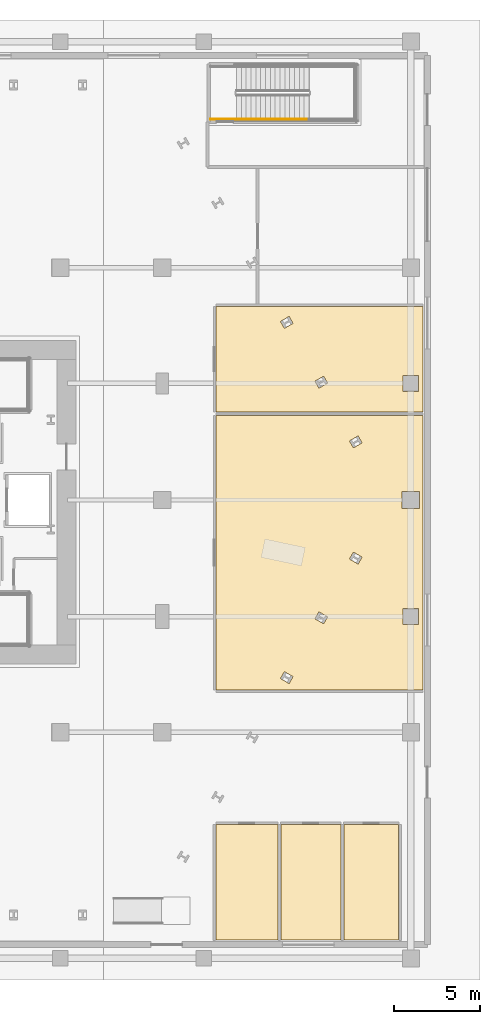
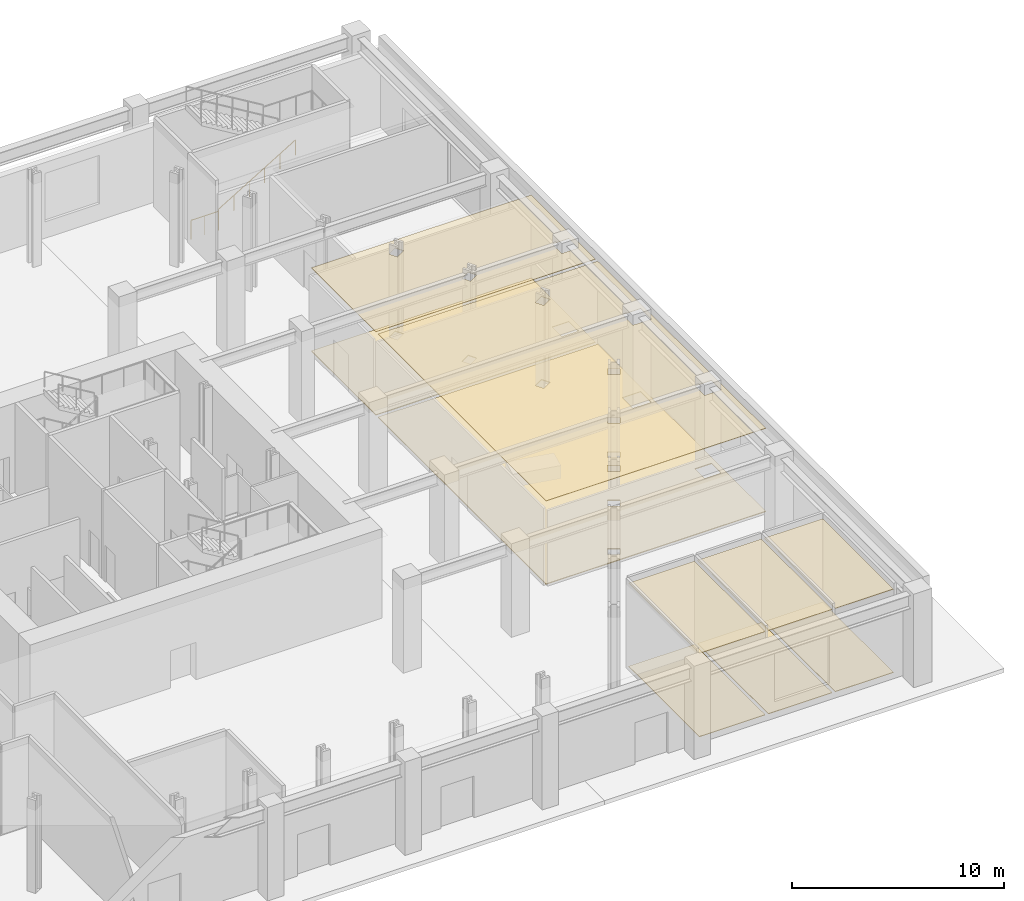
# One storey, part 16 of 18: 10 coverings, 2 railings.
"""IFC4 building model written with IfcOpenShell, lengths in metres."""

from ifc_helpers import new_model, si_unit, direction, frame, origin, origin_2d, place, context, subcontext, project, spatial, polyline, circle, outline, extrude, material, layer, layer_set, type_object, element, save


model = new_model("IFC4")

# Units and contexts
model_context = context("Model", 3, precision=1e-05, world=origin(), true_north=direction((0.0, 1.0)))
body_context = subcontext(model_context, "Body", "Model", "MODEL_VIEW")
ifc_project = project(units=[si_unit("LENGTHUNIT", "METRE"), si_unit("AREAUNIT", "SQUARE_METRE"), si_unit("VOLUMEUNIT", "CUBIC_METRE"), si_unit("PLANEANGLEUNIT", "RADIAN"), si_unit("MASSUNIT", "GRAM", prefix="KILO")], contexts=[model_context])

# Site, building, storey
site_placement = place(None, origin())
site = spatial("IfcSite", under=ifc_project, at=site_placement, CompositionType="ELEMENT")
building_placement = place(site_placement, origin())
building = spatial("IfcBuilding", under=site, at=building_placement, Name="Valkerne Bourse Tower", CompositionType="ELEMENT")
storey_placement = place(building_placement, origin())
storey = spatial("IfcBuildingStorey", under=building, at=storey_placement, Name="L00", CompositionType="ELEMENT", Elevation=0.0)

# Coverings
ifc_material_1 = material(Name="Mineral Fiber Acoustic Ceiling Tile", Category="acoustic")
ifc_layer_1 = layer(ifc_material_1, 0.02490234375)
ifc_layer_set_1 = layer_set([ifc_layer_1], Name="Mineral Fiber Acoustic Ceiling Tile")
covering_type_1 = type_object("IfcCoveringType", Name="COV-CEIL-ACT", PredefinedType="CEILING", material=ifc_layer_set_1)
covering_1_placement = place(storey_placement, frame((0.0, 0.0, 4.81005859375)))
element("IfcCovering", 1, at=covering_1_placement, inside=storey, type_object=covering_type_1, Name="L00 Suspended Ceiling 09", PredefinedType="CEILING", context=body_context, shape_type="SweptSolid", body=[
    extrude(outline(polyline([(64.50390625, 8.196044921875), (68.095947265625, 8.196044921875), (68.095947265625, 1.50390625), (64.50390625, 1.50390625), (64.50390625, 8.196044921875)])), origin(), (0.0, 0.0, 1.0), 0.02490234375),
])
covering_2_placement = place(storey_placement, frame((0.0, 0.0, 4.81005859375)))
element("IfcCovering", 2, at=covering_2_placement, inside=storey, type_object=covering_type_1, Name="L00 Suspended Ceiling 10", PredefinedType="CEILING", context=body_context, shape_type="SweptSolid", body=[
    extrude(outline(polyline([(68.263916015625, 8.196044921875), (71.74609375, 8.196044921875), (71.74609375, 1.50390625), (68.263916015625, 1.50390625), (68.263916015625, 8.196044921875)])), origin(), (0.0, 0.0, 1.0), 0.02490234375),
])
covering_3_placement = place(storey_placement, frame((0.0, 0.0, 4.81005859375)))
element("IfcCovering", 3, at=covering_3_placement, inside=storey, type_object=covering_type_1, Name="L00 Suspended Ceiling 11", PredefinedType="CEILING", context=body_context, shape_type="SweptSolid", body=[
    extrude(outline(polyline([(71.9140625, 8.196044921875), (75.095947265625, 8.196044921875), (75.095947265625, 1.50390625), (71.9140625, 1.50390625), (71.9140625, 8.196044921875)])), origin(), (0.0, 0.0, 1.0), 0.02490234375),
])
covering_4_placement = place(storey_placement, frame((0.0, 0.0, 4.81005859375)))
element("IfcCovering", 4, at=covering_4_placement, inside=storey, type_object=covering_type_1, Name="L00 Suspended Ceiling 12", PredefinedType="CEILING", context=body_context, shape_type="SweptSolid", body=[
    extrude(outline(polyline([(64.50390625, 31.89599609375), (76.49609375, 31.89599609375), (76.49609375, 16.00390625), (64.50390625, 16.00390625), (64.50390625, 31.89599609375)]), holes=[polyline([(68.24609375, 16.658203125), (68.74560546875, 16.36962890625), (68.97705078125, 16.770263671875), (68.477294921875, 17.058837890625), (68.24609375, 16.658203125)]), polyline([(70.475341796875, 20.51953125), (70.243896484375, 20.118896484375), (70.74365234375, 19.830322265625), (70.97509765625, 20.23095703125), (70.475341796875, 20.51953125)]), polyline([(76.25390625, 20.7041015625), (75.345947265625, 20.7041015625), (75.345947265625, 19.7958984375), (76.25390625, 19.7958984375), (76.25390625, 20.7041015625)]), polyline([(72.473388671875, 23.97998046875), (72.241943359375, 23.579345703125), (72.74169921875, 23.291015625), (72.972900390625, 23.691650390625), (72.473388671875, 23.97998046875)]), polyline([(76.303955078125, 27.50390625), (75.2958984375, 27.50390625), (75.2958984375, 26.49609375), (76.303955078125, 26.49609375), (76.303955078125, 27.50390625)]), polyline([(72.74169921875, 30.708984375), (72.241943359375, 30.420654296875), (72.473388671875, 30.02001953125), (72.972900390625, 30.308349609375), (72.74169921875, 30.708984375)])]), origin(), (0.0, 0.0, 1.0), 0.02490234375),
])
covering_5_placement = place(storey_placement, frame((0.0, 0.0, 4.81005859375)))
element("IfcCovering", 5, at=covering_5_placement, inside=storey, type_object=covering_type_1, Name="L00 Suspended Ceiling 13", PredefinedType="CEILING", context=body_context, shape_type="SweptSolid", body=[
    extrude(outline(polyline([(64.50390625, 38.196044921875), (76.49609375, 38.196044921875), (76.49609375, 32.10400390625), (64.50390625, 32.10400390625), (64.50390625, 38.196044921875)]), holes=[polyline([(76.25390625, 34.2041015625), (75.345947265625, 34.2041015625), (75.345947265625, 33.2958984375), (76.25390625, 33.2958984375), (76.25390625, 34.2041015625)]), polyline([(70.243896484375, 33.881103515625), (70.475341796875, 33.48046875), (70.97509765625, 33.76904296875), (70.74365234375, 34.169677734375), (70.243896484375, 33.881103515625)]), polyline([(68.24609375, 37.341796875), (68.477294921875, 36.941162109375), (68.97705078125, 37.229736328125), (68.74560546875, 37.63037109375), (68.24609375, 37.341796875)])]), origin(), (0.0, 0.0, 1.0), 0.02490234375),
])
ifc_material_2 = material(Name="Galvanised Painted Steel", Category="steel")
ifc_layer_2 = layer(ifc_material_2, 0.044921875)
ifc_layer_set_2 = layer_set([ifc_layer_2], Name="Galvanised Painted Steel")
covering_type_2 = type_object("IfcCoveringType", Name="COV-FLR-RAF", PredefinedType="FLOORING", material=ifc_layer_set_2)
covering_6_placement = place(storey_placement, origin())
element("IfcCovering", 6, at=covering_6_placement, inside=storey, type_object=covering_type_2, Name="L00 Floor Finish 12", PredefinedType="FLOORING", context=body_context, shape_type="SweptSolid", body=[
    extrude(outline(polyline([(64.50390625, 31.89599609375), (76.49609375, 31.89599609375), (76.49609375, 16.00390625), (64.50390625, 16.00390625), (64.50390625, 31.89599609375)]), holes=[polyline([(68.24609375, 16.658203125), (68.74560546875, 16.36962890625), (68.97705078125, 16.770263671875), (68.477294921875, 17.058837890625), (68.24609375, 16.658203125)]), polyline([(70.475341796875, 20.51953125), (70.243896484375, 20.118896484375), (70.74365234375, 19.830322265625), (70.97509765625, 20.23095703125), (70.475341796875, 20.51953125)]), polyline([(76.25390625, 20.7041015625), (75.345947265625, 20.7041015625), (75.345947265625, 19.7958984375), (76.25390625, 19.7958984375), (76.25390625, 20.7041015625)]), polyline([(72.473388671875, 23.97998046875), (72.241943359375, 23.579345703125), (72.74169921875, 23.291015625), (72.972900390625, 23.691650390625), (72.473388671875, 23.97998046875)]), polyline([(76.303955078125, 27.50390625), (75.2958984375, 27.50390625), (75.2958984375, 26.49609375), (76.303955078125, 26.49609375), (76.303955078125, 27.50390625)]), polyline([(72.74169921875, 30.708984375), (72.241943359375, 30.420654296875), (72.473388671875, 30.02001953125), (72.972900390625, 30.308349609375), (72.74169921875, 30.708984375)])]), origin(), (0.0, 0.0, 1.0), 0.044921875),
])
covering_7_placement = place(storey_placement, origin())
element("IfcCovering", 7, at=covering_7_placement, inside=storey, type_object=covering_type_2, Name="L00 Floor Finish 13", PredefinedType="FLOORING", context=body_context, shape_type="SweptSolid", body=[
    extrude(outline(polyline([(64.50390625, 38.196044921875), (76.49609375, 38.196044921875), (76.49609375, 32.10400390625), (64.50390625, 32.10400390625), (64.50390625, 38.196044921875)]), holes=[polyline([(76.25390625, 34.2041015625), (75.345947265625, 34.2041015625), (75.345947265625, 33.2958984375), (76.25390625, 33.2958984375), (76.25390625, 34.2041015625)]), polyline([(70.243896484375, 33.881103515625), (70.475341796875, 33.48046875), (70.97509765625, 33.76904296875), (70.74365234375, 34.169677734375), (70.243896484375, 33.881103515625)]), polyline([(68.24609375, 37.341796875), (68.477294921875, 36.941162109375), (68.97705078125, 37.229736328125), (68.74560546875, 37.63037109375), (68.24609375, 37.341796875)])]), origin(), (0.0, 0.0, 1.0), 0.044921875),
])
ifc_material_3 = material(Name="Polished Granite Stone", Category="masonry")
ifc_layer_3 = layer(ifc_material_3, 0.030029296875)
ifc_layer_set_3 = layer_set([ifc_layer_3], Name="Polished Granite Stone")
covering_type_3 = type_object("IfcCoveringType", Name="COV-FLR-TERRAZZO", PredefinedType="FLOORING", material=ifc_layer_set_3)
covering_8_placement = place(storey_placement, origin())
element("IfcCovering", 8, at=covering_8_placement, inside=storey, type_object=covering_type_3, Name="L00 Floor Finish 09", PredefinedType="FLOORING", context=body_context, shape_type="SweptSolid", body=[
    extrude(outline(polyline([(64.50390625, 8.196044921875), (68.095947265625, 8.196044921875), (68.095947265625, 1.50390625), (64.50390625, 1.50390625), (64.50390625, 8.196044921875)])), origin(), (0.0, 0.0, 1.0), 0.030029296875),
])
covering_9_placement = place(storey_placement, origin())
element("IfcCovering", 9, at=covering_9_placement, inside=storey, type_object=covering_type_3, Name="L00 Floor Finish 10", PredefinedType="FLOORING", context=body_context, shape_type="SweptSolid", body=[
    extrude(outline(polyline([(68.263916015625, 8.196044921875), (71.74609375, 8.196044921875), (71.74609375, 1.50390625), (68.263916015625, 1.50390625), (68.263916015625, 8.196044921875)])), origin(), (0.0, 0.0, 1.0), 0.030029296875),
])
covering_10_placement = place(storey_placement, origin())
element("IfcCovering", 10, at=covering_10_placement, inside=storey, type_object=covering_type_3, Name="L00 Floor Finish 11", PredefinedType="FLOORING", context=body_context, shape_type="SweptSolid", body=[
    extrude(outline(polyline([(71.9140625, 8.196044921875), (75.095947265625, 8.196044921875), (75.095947265625, 1.50390625), (71.9140625, 1.50390625), (71.9140625, 8.196044921875)])), origin(), (0.0, 0.0, 1.0), 0.030029296875),
])

# Railings
railing_type_1 = type_object("IfcRailingType", Name="RLG-ST-GUARD-1120", PredefinedType="GUARDRAIL", material=ifc_material_2)
railing_1_placement = place(storey_placement, frame((64.199951171875, 49.050048828125, 0.0)))
element("IfcRailing", 11, at=railing_1_placement, inside=storey, type_object=railing_type_1, Name="L00 ST-P2 stair guard 8", PredefinedType="GUARDRAIL", context=body_context, shape_type="SweptSolid", body=[
    extrude(circle(Radius=0.02392578125, at=origin_2d()), frame((0.0, 0.0, 1.09619140625), z_axis=(1.0, 0.0, 0.0), x_axis=(0.0, 1.0, 0.0)), (0.0, 0.0, 1.0), 1.5),
    extrude(circle(Radius=0.02099609375, at=origin_2d()), origin(), (0.0, 0.0, 1.0), 1.072021484375),
    extrude(circle(Radius=0.02099609375, at=origin_2d()), frame((0.75, 0.0, 0.0)), (0.0, 0.0, 1.0), 1.072021484375),
    extrude(circle(Radius=0.02099609375, at=origin_2d()), frame((1.5, 0.0, 0.0)), (0.0, 0.0, 1.0), 1.072021484375),
])
ifc_material_4 = material(Name="Stainless Steel AISI 316", Category="steel")
railing_type_2 = type_object("IfcRailingType", Name="RLG-ST-HANDRAIL-900", PredefinedType="HANDRAIL", material=ifc_material_4)
railing_2_placement = place(storey_placement, frame((65.699951171875, 49.050048828125, 0.33740234375)))
element("IfcRailing", 12, at=railing_2_placement, inside=storey, type_object=railing_type_2, Name="L00 ST-P2 stair handrail 1", PredefinedType="HANDRAIL", context=body_context, shape_type="SweptSolid", body=[
    extrude(circle(Radius=0.02392578125, at=origin_2d()), frame((0.0, 0.0, 0.8759765625), z_axis=(0.856476492594, 0.0, 0.516186030065), x_axis=(0.0, 1.0, 0.0)), (0.0, 0.0, 1.0), 4.90380859375),
    extrude(circle(Radius=0.02099609375, at=origin_2d()), origin(), (0.0, 0.0, 1.0), 0.851806640625),
    extrude(circle(Radius=0.02099609375, at=origin_2d()), frame((0.840087890625, 0.0, 0.50634765625)), (0.0, 0.0, 1.0), 0.851806640625),
    extrude(circle(Radius=0.02099609375, at=origin_2d()), frame((1.679931640625, 0.0, 1.012451171875)), (0.0, 0.0, 1.0), 0.851806640625),
    extrude(circle(Radius=0.02099609375, at=origin_2d()), frame((2.52001953125, 0.0, 1.518798828125)), (0.0, 0.0, 1.0), 0.851806640625),
    extrude(circle(Radius=0.02099609375, at=origin_2d()), frame((3.35986328125, 0.0, 2.02490234375)), (0.0, 0.0, 1.0), 0.851806640625),
    extrude(circle(Radius=0.02099609375, at=origin_2d()), frame((4.199951171875, 0.0, 2.53125)), (0.0, 0.0, 1.0), 0.851806640625),
])

save(model, "model.ifc")
